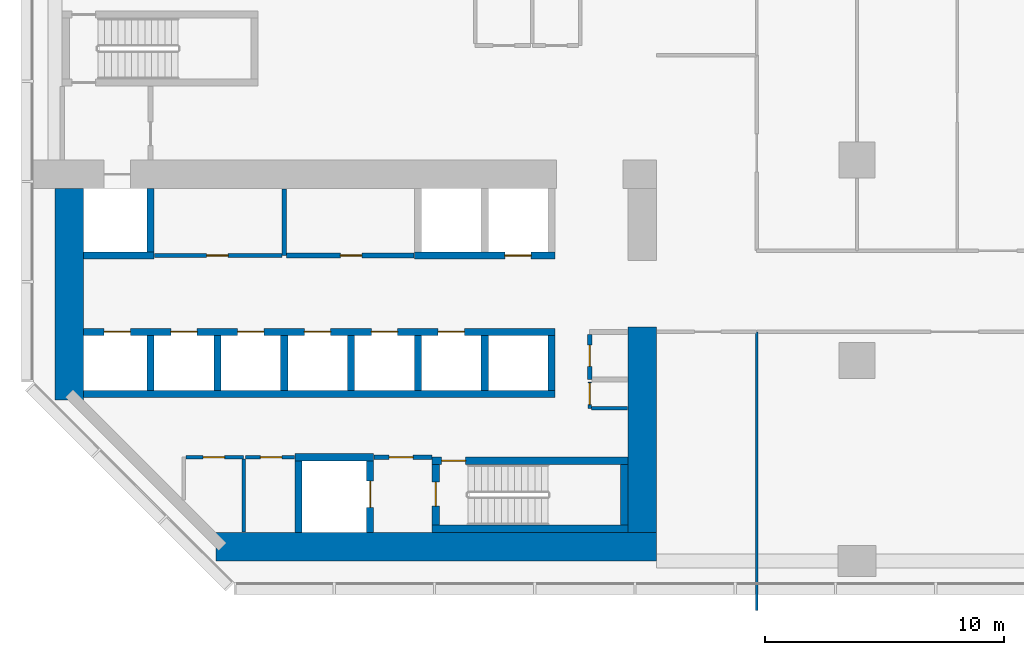
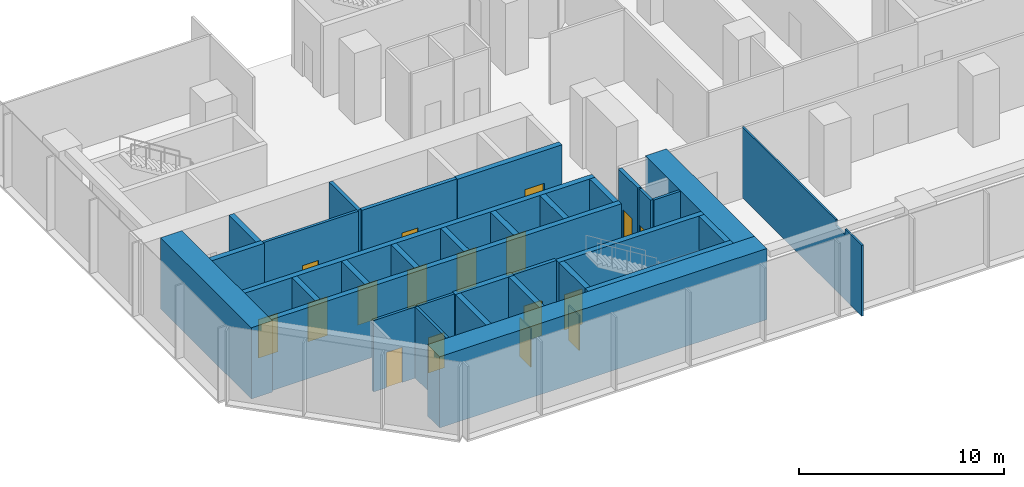
# One storey, part 7 of 13: 33 walls, 17 doors, 17 openings.
"""IFC4 building model written with IfcOpenShell, lengths in metres."""

from ifc_helpers import new_model, si_unit, direction, frame, frame_2d, origin, place, context, subcontext, project, spatial, polyline, rectangle, outline, extrude, material, layer, layer_set, type_object, element, fill, save


model = new_model("IFC4")

# Units and contexts
model_context = context("Model", 3, precision=1e-05, world=origin(), true_north=direction((0.0, 1.0)))
body_context = subcontext(model_context, "Body", "Model", "MODEL_VIEW")
ifc_project = project(units=[si_unit("LENGTHUNIT", "METRE"), si_unit("AREAUNIT", "SQUARE_METRE"), si_unit("VOLUMEUNIT", "CUBIC_METRE"), si_unit("PLANEANGLEUNIT", "RADIAN"), si_unit("MASSUNIT", "GRAM", prefix="KILO")], contexts=[model_context])

# Site, building, storey
site_placement = place(None, origin())
site = spatial("IfcSite", under=ifc_project, at=site_placement, CompositionType="ELEMENT")
building_placement = place(site_placement, origin())
building = spatial("IfcBuilding", under=site, at=building_placement, Name="Brevane Broadcast Tower", CompositionType="ELEMENT")
storey_placement = place(building_placement, frame((0.0, 0.0, 32.0)))
storey = spatial("IfcBuildingStorey", under=building, at=storey_placement, Name="L05", CompositionType="ELEMENT", Elevation=32.0)

# Wall, opening, door
ifc_material_1 = material(Name="Gypsum board on steel studs", Category="steel")
ifc_layer_1 = layer(ifc_material_1, 0.14990234375)
ifc_layer_set_1 = layer_set([ifc_layer_1], Name="Core fire partition 150 mm")
wall_type_1 = type_object("IfcWallType", Name="Core fire partition 150 mm", PredefinedType="PARTITIONING", material=ifc_layer_set_1)
wall_1_placement = place(storey_placement, frame((4.162109375, 12.800048828125, 0.0), z_axis=(0.0, 0.0, 1.0), x_axis=(1.0, 0.0, 0.0)))
wall_1 = element("IfcWall", 1, at=wall_1_placement, inside=storey, type_object=wall_type_1, Name="L05 partition wall P09", PredefinedType="PARTITIONING", context=body_context, shape_type="SweptSolid", body=[
    extrude(rectangle(XDim=5.337890625, YDim=0.14990234375, at=frame_2d((2.6689453125, 0.0))), origin(), (0.0, 0.0, 1.0), 4.25),
])
opening_1_placement = place(wall_1_placement, frame((2.18798828125, 0.0, 0.0)))
opening_1 = element("IfcOpeningElement", 2, at=opening_1_placement, cuts=wall_1, Name="Opening L05-K24", PredefinedType="OPENING", context=body_context, shape_type="SweptSolid", body=[
    extrude(rectangle(XDim=0.89990234375, YDim=2.10009765625, at=frame_2d((0.449951171875, 1.050048828125))), frame((0.0, 0.0849609375, 0.0), z_axis=(0.0, -1.0, 0.0), x_axis=(1.0, 0.0, 0.0)), (0.0, 0.0, 1.0), 0.169921875),
])
ifc_material_2 = material(Name="Steel", Category="steel")
door_type_1 = type_object("IfcDoorType", Name="Service room door 900 x 2100", OperationType="SINGLE_SWING_LEFT", PredefinedType="DOOR", material=ifc_material_2)
door_1_placement = place(opening_1_placement, origin())
door_1 = element("IfcDoor", 3, at=door_1_placement, inside=storey, type_object=door_type_1, Name="Door L05-K24", OperationType="SINGLE_SWING_LEFT", OverallHeight=2.10009765625, OverallWidth=0.89990234375, PredefinedType="DOOR", context=body_context, shape_type="SweptSolid", body=[
    extrude(rectangle(XDim=0.89990234375, YDim=2.10009765625, at=frame_2d((0.449951171875, 1.050048828125))), frame((0.0, 0.02490234375, 0.0), z_axis=(0.0, -1.0, 0.0), x_axis=(1.0, 0.0, 0.0)), (0.0, 0.0, 1.0), 0.050048828125),
])
fill(opening_1, door_1)

wall_2_placement = place(storey_placement, frame((5.47509765625, 4.35009765625, 0.0), z_axis=(0.0, 0.0, 1.0), x_axis=(1.0, 0.0, 0.0)))
wall_2 = element("IfcWall", 4, at=wall_2_placement, inside=storey, type_object=wall_type_1, Name="L05 partition wall P11", PredefinedType="PARTITIONING", context=body_context, shape_type="SweptSolid", body=[
    extrude(rectangle(XDim=2.4248046875, YDim=0.14990234375, at=frame_2d((1.21240234375, 0.0))), origin(), (0.0, 0.0, 1.0), 4.25),
])
opening_2_placement = place(wall_2_placement, frame((0.72509765625, 0.0, 0.0)))
opening_2 = element("IfcOpeningElement", 5, at=opening_2_placement, cuts=wall_2, Name="Opening L05-K19", PredefinedType="OPENING", context=body_context, shape_type="SweptSolid", body=[
    extrude(rectangle(XDim=0.89990234375, YDim=2.10009765625, at=frame_2d((0.449951171875, 1.050048828125))), frame((0.0, 0.0849609375, 0.0), z_axis=(0.0, -1.0, 0.0), x_axis=(1.0, 0.0, 0.0)), (0.0, 0.0, 1.0), 0.169921875),
])
ifc_material_3 = material(Name="Timber", Category="wood")
door_type_2 = type_object("IfcDoorType", Name="Toilet door 900 x 2100", OperationType="SINGLE_SWING_LEFT", PredefinedType="DOOR", material=ifc_material_3)
door_2_placement = place(opening_2_placement, origin())
door_2 = element("IfcDoor", 6, at=door_2_placement, inside=storey, type_object=door_type_2, Name="Door L05-K19", OperationType="SINGLE_SWING_RIGHT", OverallHeight=2.10009765625, OverallWidth=0.89990234375, PredefinedType="DOOR", context=body_context, shape_type="SweptSolid", body=[
    extrude(rectangle(XDim=0.89990234375, YDim=2.10009765625, at=frame_2d((0.449951171875, 1.050048828125))), frame((0.0, 0.02490234375, 0.0), z_axis=(0.0, -1.0, 0.0), x_axis=(1.0, 0.0, 0.0)), (0.0, 0.0, 1.0), 0.050048828125),
])
fill(opening_2, door_2)

# Wall
wall_3_placement = place(storey_placement, frame((7.89990234375, 4.27490234375, 0.0), z_axis=(0.0, 0.0, 1.0), x_axis=(0.0, -1.0, 0.0)))
element("IfcWall", 7, at=wall_3_placement, inside=storey, type_object=wall_type_1, Name="L05 partition wall P12", PredefinedType="PARTITIONING", context=body_context, shape_type="SweptSolid", body=[
    extrude(rectangle(XDim=3.06298828125, YDim=0.14990234375, at=frame_2d((1.531494140625, 0.0))), origin(), (0.0, 0.0, 1.0), 4.25),
])

# Wall, opening, door
wall_4_placement = place(storey_placement, frame((10.0380859375, 4.35009765625, 0.0), z_axis=(0.0, 0.0, 1.0), x_axis=(-1.0, 0.0, 0.0)))
wall_4 = element("IfcWall", 8, at=wall_4_placement, inside=storey, type_object=wall_type_1, Name="L05 partition wall P13", PredefinedType="PARTITIONING", context=body_context, shape_type="SweptSolid", body=[
    extrude(rectangle(XDim=2.06298828125, YDim=0.14990234375, at=frame_2d((1.031494140625, 0.0))), origin(), (0.0, 0.0, 1.0), 4.25),
])
opening_3_placement = place(wall_4_placement, frame((0.5380859375, 0.0, 0.0)))
opening_3 = element("IfcOpeningElement", 9, at=opening_3_placement, cuts=wall_4, Name="Opening L05-K20", PredefinedType="OPENING", context=body_context, shape_type="SweptSolid", body=[
    extrude(rectangle(XDim=0.89990234375, YDim=2.10009765625, at=frame_2d((0.449951171875, 1.050048828125))), frame((0.0, 0.0849609375, 0.0), z_axis=(0.0, -1.0, 0.0), x_axis=(1.0, 0.0, 0.0)), (0.0, 0.0, 1.0), 0.169921875),
])
door_3_placement = place(opening_3_placement, origin())
door_3 = element("IfcDoor", 10, at=door_3_placement, inside=storey, type_object=door_type_2, Name="Door L05-K20", OperationType="SINGLE_SWING_LEFT", OverallHeight=2.10009765625, OverallWidth=0.89990234375, PredefinedType="DOOR", context=body_context, shape_type="SweptSolid", body=[
    extrude(rectangle(XDim=0.89990234375, YDim=2.10009765625, at=frame_2d((0.449951171875, 1.050048828125))), frame((0.0, 0.02490234375, 0.0), z_axis=(0.0, -1.0, 0.0), x_axis=(1.0, 0.0, 0.0)), (0.0, 0.0, 1.0), 0.050048828125),
])
fill(opening_3, door_3)

wall_5_placement = place(storey_placement, frame((22.39990234375, 7.5, 0.0), z_axis=(0.0, 0.0, 1.0), x_axis=(0.0, -1.0, 0.0)))
wall_5 = element("IfcWall", 11, at=wall_5_placement, inside=storey, type_object=wall_type_1, Name="L05 partition wall P21", PredefinedType="PARTITIONING", context=body_context, shape_type="SweptSolid", body=[
    extrude(rectangle(XDim=1.10009765625, YDim=0.14990234375, at=frame_2d((0.550048828125, 0.0))), origin(), (0.0, 0.0, 1.0), 4.25),
])
opening_4_placement = place(wall_5_placement, frame((0.050048828125, 0.0, 0.0)))
opening_4 = element("IfcOpeningElement", 12, at=opening_4_placement, cuts=wall_5, Name="Opening L05-K22", PredefinedType="OPENING", context=body_context, shape_type="SweptSolid", body=[
    extrude(rectangle(XDim=0.89990234375, YDim=2.10009765625, at=frame_2d((0.449951171875, 1.050048828125))), frame((0.0, 0.0849609375, 0.0), z_axis=(0.0, -1.0, 0.0), x_axis=(1.0, 0.0, 0.0)), (0.0, 0.0, 1.0), 0.169921875),
])
door_4_placement = place(opening_4_placement, origin())
door_4 = element("IfcDoor", 13, at=door_4_placement, inside=storey, type_object=door_type_1, Name="Door L05-K22", OperationType="SINGLE_SWING_LEFT", OverallHeight=2.10009765625, OverallWidth=0.89990234375, PredefinedType="DOOR", context=body_context, shape_type="SweptSolid", body=[
    extrude(rectangle(XDim=0.89990234375, YDim=2.10009765625, at=frame_2d((0.449951171875, 1.050048828125))), frame((0.0, 0.02490234375, 0.0), z_axis=(0.0, -1.0, 0.0), x_axis=(1.0, 0.0, 0.0)), (0.0, 0.0, 1.0), 0.050048828125),
])
fill(opening_4, door_4)

# Wall
wall_6_placement = place(storey_placement, frame((22.47509765625, 6.39990234375, 0.0), z_axis=(0.0, 0.0, 1.0), x_axis=(1.0, 0.0, 0.0)))
element("IfcWall", 14, at=wall_6_placement, inside=storey, type_object=wall_type_1, Name="L05 partition wall P22", PredefinedType="PARTITIONING", context=body_context, shape_type="SweptSolid", body=[
    extrude(rectangle(XDim=1.512939453125, YDim=0.14990234375, at=frame_2d((0.75634765625, 0.0))), origin(), (0.0, 0.0, 1.0), 4.25),
])

# Wall, opening, door
ifc_layer_2 = layer(ifc_material_1, 0.199951171875)
ifc_layer_set_2 = layer_set([ifc_layer_2], Name="Core fire partition 200 mm")
wall_type_2 = type_object("IfcWallType", Name="Core fire partition 200 mm", PredefinedType="PARTITIONING", material=ifc_layer_set_2)
wall_7_placement = place(storey_placement, frame((13.362060546875, 4.35009765625, 0.0), z_axis=(0.0, 0.0, 1.0), x_axis=(1.0, 0.0, 0.0)))
wall_7 = element("IfcWall", 15, at=wall_7_placement, inside=storey, type_object=wall_type_2, Name="L05 partition wall P03", PredefinedType="PARTITIONING", context=body_context, shape_type="SweptSolid", body=[
    extrude(rectangle(XDim=2.426025390625, YDim=0.199951171875, at=frame_2d((1.212890625, 0.0))), origin(), (0.0, 0.0, 1.0), 4.25),
])
opening_5_placement = place(wall_7_placement, frame((0.637939453125, 0.0, 0.0)))
opening_5 = element("IfcOpeningElement", 16, at=opening_5_placement, cuts=wall_7, Name="Opening L05-K21", PredefinedType="OPENING", context=body_context, shape_type="SweptSolid", body=[
    extrude(rectangle(XDim=1.0, YDim=2.10009765625, at=frame_2d((0.5, 1.050048828125))), frame((0.0, 0.10986328125, 0.0), z_axis=(0.0, -1.0, 0.0), x_axis=(1.0, 0.0, 0.0)), (0.0, 0.0, 1.0), 0.219970703125),
])
door_type_3 = type_object("IfcDoorType", Name="Stair door 1000 x 2100", OperationType="SINGLE_SWING_LEFT", PredefinedType="DOOR", material=ifc_material_2)
door_5_placement = place(opening_5_placement, origin())
door_5 = element("IfcDoor", 17, at=door_5_placement, inside=storey, type_object=door_type_3, Name="Door L05-K21", OperationType="SINGLE_SWING_RIGHT", OverallHeight=2.10009765625, OverallWidth=1.0, PredefinedType="DOOR", context=body_context, shape_type="SweptSolid", body=[
    extrude(rectangle(XDim=1.0, YDim=2.10009765625, at=frame_2d((0.5, 1.050048828125))), frame((0.0, 0.02490234375, 0.0), z_axis=(0.0, -1.0, 0.0), x_axis=(1.0, 0.0, 0.0)), (0.0, 0.0, 1.0), 0.050048828125),
])
fill(opening_5, door_5)

# Wall
wall_8_placement = place(storey_placement, frame((9.60009765625, 15.587890625, 0.0), z_axis=(0.0, 0.0, 1.0), x_axis=(0.0, -1.0, 0.0)))
element("IfcWall", 18, at=wall_8_placement, inside=storey, type_object=wall_type_2, Name="L05 partition wall P04", PredefinedType="PARTITIONING", context=body_context, shape_type="SweptSolid", body=[
    extrude(rectangle(XDim=2.787841796875, YDim=0.199951171875, at=frame_2d((1.39404296875, 0.0))), origin(), (0.0, 0.0, 1.0), 4.25),
])

# Wall, opening, door
wall_9_placement = place(storey_placement, frame((9.699951171875, 12.800048828125, 0.0), z_axis=(0.0, 0.0, 1.0), x_axis=(1.0, 0.0, 0.0)))
wall_9 = element("IfcWall", 19, at=wall_9_placement, inside=storey, type_object=wall_type_2, Name="L05 partition wall P05", PredefinedType="PARTITIONING", context=body_context, shape_type="SweptSolid", body=[
    extrude(rectangle(XDim=5.338134765625, YDim=0.199951171875, at=frame_2d((2.6689453125, 0.0))), origin(), (0.0, 0.0, 1.0), 4.25),
])
opening_6_placement = place(wall_9_placement, frame((2.25, 0.0, 0.0)))
opening_6 = element("IfcOpeningElement", 20, at=opening_6_placement, cuts=wall_9, Name="Opening L05-K25", PredefinedType="OPENING", context=body_context, shape_type="SweptSolid", body=[
    extrude(rectangle(XDim=0.89990234375, YDim=2.10009765625, at=frame_2d((0.449951171875, 1.050048828125))), frame((0.0, 0.10986328125, 0.0), z_axis=(0.0, -1.0, 0.0), x_axis=(1.0, 0.0, 0.0)), (0.0, 0.0, 1.0), 0.219970703125),
])
door_6_placement = place(opening_6_placement, origin())
door_6 = element("IfcDoor", 21, at=door_6_placement, inside=storey, type_object=door_type_1, Name="Door L05-K25", OperationType="SINGLE_SWING_RIGHT", OverallHeight=2.10009765625, OverallWidth=0.89990234375, PredefinedType="DOOR", context=body_context, shape_type="SweptSolid", body=[
    extrude(rectangle(XDim=0.89990234375, YDim=2.10009765625, at=frame_2d((0.449951171875, 1.050048828125))), frame((0.0, 0.02490234375, 0.0), z_axis=(0.0, -1.0, 0.0), x_axis=(1.0, 0.0, 0.0)), (0.0, 0.0, 1.0), 0.050048828125),
])
fill(opening_6, door_6)

wall_10_placement = place(storey_placement, frame((22.39990234375, 9.5, 0.0), z_axis=(0.0, 0.0, 1.0), x_axis=(0.0, -1.0, 0.0)))
wall_10 = element("IfcWall", 22, at=wall_10_placement, inside=storey, type_object=wall_type_2, Name="L05 partition wall P07", PredefinedType="PARTITIONING", context=body_context, shape_type="SweptSolid", body=[
    extrude(rectangle(XDim=1.89990234375, YDim=0.199951171875, at=frame_2d((0.949951171875, 0.0))), origin(), (0.0, 0.0, 1.0), 4.25),
])
opening_7_placement = place(wall_10_placement, frame((0.449951171875, 0.0, 0.0)))
opening_7 = element("IfcOpeningElement", 23, at=opening_7_placement, cuts=wall_10, Name="Opening L05-K23", PredefinedType="OPENING", context=body_context, shape_type="SweptSolid", body=[
    extrude(rectangle(XDim=0.89990234375, YDim=2.10009765625, at=frame_2d((0.449951171875, 1.050048828125))), frame((0.0, 0.10986328125, 0.0), z_axis=(0.0, -1.0, 0.0), x_axis=(1.0, 0.0, 0.0)), (0.0, 0.0, 1.0), 0.219970703125),
])
door_7_placement = place(opening_7_placement, origin())
door_7 = element("IfcDoor", 24, at=door_7_placement, inside=storey, type_object=door_type_1, Name="Door L05-K23", OperationType="SINGLE_SWING_RIGHT", OverallHeight=2.10009765625, OverallWidth=0.89990234375, PredefinedType="DOOR", context=body_context, shape_type="SweptSolid", body=[
    extrude(rectangle(XDim=0.89990234375, YDim=2.10009765625, at=frame_2d((0.449951171875, 1.050048828125))), frame((0.0, 0.02490234375, 0.0), z_axis=(0.0, -1.0, 0.0), x_axis=(1.0, 0.0, 0.0)), (0.0, 0.0, 1.0), 0.050048828125),
])
fill(opening_7, door_7)

# Walls
ifc_material_4 = material(Name="Concrete C80/95", Category="concrete")
ifc_layer_3 = layer(ifc_material_4, 1.199951171875)
ifc_layer_set_3 = layer_set([ifc_layer_3], Name="Core wall 1200 mm C80/95")
wall_type_3 = type_object("IfcWallType", Name="Core wall 1200 mm C80/95", PredefinedType="SHEAR", material=ifc_layer_set_3)
wall_11_placement = place(storey_placement, frame((6.736328125, 0.60009765625, 0.0), z_axis=(0.0, 0.0, 1.0), x_axis=(1.0, 0.0, 0.0)))
element("IfcWall", 25, at=wall_11_placement, inside=storey, type_object=wall_type_3, Name="L05 outer wall WS", PredefinedType="SHEAR", context=body_context, shape_type="SweptSolid", body=[
    extrude(rectangle(XDim=18.463623046875, YDim=1.199951171875, at=frame_2d((9.23193359375, 0.0))), origin(), (0.0, 0.0, 1.0), 4.25),
])
wall_12_placement = place(storey_placement, frame((0.60009765625, 6.736328125, 0.0), z_axis=(0.0, 0.0, 1.0), x_axis=(0.0, 1.0, 0.0)))
element("IfcWall", 26, at=wall_12_placement, inside=storey, type_object=wall_type_3, Name="L05 outer wall WW", PredefinedType="SHEAR", context=body_context, shape_type="SweptSolid", body=[
    extrude(rectangle(XDim=8.86376953125, YDim=1.199951171875, at=frame_2d((4.431884765625, 0.0))), origin(), (0.0, 0.0, 1.0), 4.25),
])
wall_13_placement = place(storey_placement, frame((24.60009765625, 1.199951171875, 0.0), z_axis=(0.0, 0.0, 1.0), x_axis=(0.0, 1.0, 0.0)))
element("IfcWall", 27, at=wall_13_placement, inside=storey, type_object=wall_type_3, Name="L05 outer wall WE1", PredefinedType="SHEAR", context=body_context, shape_type="SweptSolid", body=[
    extrude(rectangle(XDim=8.60009765625, YDim=1.199951171875, at=frame_2d((4.300048828125, 0.0))), origin(), (0.0, 0.0, 1.0), 4.25),
])
ifc_layer_4 = layer(ifc_material_4, 0.300048828125)
ifc_layer_set_4 = layer_set([ifc_layer_4], Name="Core wall 300 mm C80/95")
wall_type_4 = type_object("IfcWallType", Name="Core wall 300 mm C80/95", PredefinedType="SHEAR", material=ifc_layer_set_4)
wall_14_placement = place(storey_placement, frame((1.199951171875, 7.0, 0.0), z_axis=(0.0, 0.0, 1.0), x_axis=(1.0, 0.0, 0.0)))
element("IfcWall", 28, at=wall_14_placement, inside=storey, type_object=wall_type_4, Name="L05 shaft wall SH-S012-back", PredefinedType="SHEAR", context=body_context, shape_type="SweptSolid", body=[
    extrude(rectangle(XDim=19.75, YDim=0.300048828125, at=frame_2d((9.875, 0.0))), origin(), (0.0, 0.0, 1.0), 4.25),
])

# Wall, openings, doors
wall_15_placement = place(storey_placement, frame((1.199951171875, 9.60009765625, 0.0), z_axis=(0.0, 0.0, 1.0), x_axis=(1.0, 0.0, 0.0)))
wall_15 = element("IfcWall", 29, at=wall_15_placement, inside=storey, type_object=wall_type_4, Name="L05 shaft wall SH-S012-front", PredefinedType="SHEAR", context=body_context, shape_type="SweptSolid", body=[
    extrude(rectangle(XDim=19.75, YDim=0.300048828125, at=frame_2d((9.875, 0.0))), origin(), (0.0, 0.0, 1.0), 4.25),
])
opening_8_placement = place(wall_15_placement, frame((0.85009765625, 0.0, 0.0)))
opening_8 = element("IfcOpeningElement", 30, at=opening_8_placement, cuts=wall_15, Name="Opening LD", PredefinedType="OPENING", context=body_context, shape_type="SweptSolid", body=[
    extrude(rectangle(XDim=1.10009765625, YDim=2.300048828125, at=frame_2d((0.550048828125, 1.14990234375))), frame((0.0, 0.159912109375, 0.0), z_axis=(0.0, -1.0, 0.0), x_axis=(1.0, 0.0, 0.0)), (0.0, 0.0, 1.0), 0.320068359375),
])
opening_9_placement = place(wall_15_placement, frame((3.64990234375, 0.0, 0.0)))
opening_9 = element("IfcOpeningElement", 31, at=opening_9_placement, cuts=wall_15, Name="Opening LD", PredefinedType="OPENING", context=body_context, shape_type="SweptSolid", body=[
    extrude(rectangle(XDim=1.10009765625, YDim=2.300048828125, at=frame_2d((0.550048828125, 1.14990234375))), frame((0.0, 0.159912109375, 0.0), z_axis=(0.0, -1.0, 0.0), x_axis=(1.0, 0.0, 0.0)), (0.0, 0.0, 1.0), 0.320068359375),
])
opening_10_placement = place(wall_15_placement, frame((6.449951171875, 0.0, 0.0)))
opening_10 = element("IfcOpeningElement", 32, at=opening_10_placement, cuts=wall_15, Name="Opening LD", PredefinedType="OPENING", context=body_context, shape_type="SweptSolid", body=[
    extrude(rectangle(XDim=1.10009765625, YDim=2.300048828125, at=frame_2d((0.550048828125, 1.14990234375))), frame((0.0, 0.159912109375, 0.0), z_axis=(0.0, -1.0, 0.0), x_axis=(1.0, 0.0, 0.0)), (0.0, 0.0, 1.0), 0.320068359375),
])
opening_11_placement = place(wall_15_placement, frame((9.25, 0.0, 0.0)))
opening_11 = element("IfcOpeningElement", 33, at=opening_11_placement, cuts=wall_15, Name="Opening LD", PredefinedType="OPENING", context=body_context, shape_type="SweptSolid", body=[
    extrude(rectangle(XDim=1.10009765625, YDim=2.300048828125, at=frame_2d((0.550048828125, 1.14990234375))), frame((0.0, 0.159912109375, 0.0), z_axis=(0.0, -1.0, 0.0), x_axis=(1.0, 0.0, 0.0)), (0.0, 0.0, 1.0), 0.320068359375),
])
opening_12_placement = place(wall_15_placement, frame((12.050048828125, 0.0, 0.0)))
opening_12 = element("IfcOpeningElement", 34, at=opening_12_placement, cuts=wall_15, Name="Opening LD", PredefinedType="OPENING", context=body_context, shape_type="SweptSolid", body=[
    extrude(rectangle(XDim=1.10009765625, YDim=2.300048828125, at=frame_2d((0.550048828125, 1.14990234375))), frame((0.0, 0.159912109375, 0.0), z_axis=(0.0, -1.0, 0.0), x_axis=(1.0, 0.0, 0.0)), (0.0, 0.0, 1.0), 0.320068359375),
])
opening_13_placement = place(wall_15_placement, frame((14.85009765625, 0.0, 0.0)))
opening_13 = element("IfcOpeningElement", 35, at=opening_13_placement, cuts=wall_15, Name="Opening LD", PredefinedType="OPENING", context=body_context, shape_type="SweptSolid", body=[
    extrude(rectangle(XDim=1.10009765625, YDim=2.300048828125, at=frame_2d((0.550048828125, 1.14990234375))), frame((0.0, 0.159912109375, 0.0), z_axis=(0.0, -1.0, 0.0), x_axis=(1.0, 0.0, 0.0)), (0.0, 0.0, 1.0), 0.320068359375),
])
ifc_material_5 = material(Name="Stainless steel", Category="steel")
door_type_4 = type_object("IfcDoorType", Name="Lift landing door", OperationType="SLIDING_TO_LEFT", PredefinedType="DOOR", material=ifc_material_5)
door_8_placement = place(opening_8_placement, origin())
door_8 = element("IfcDoor", 36, at=door_8_placement, inside=storey, type_object=door_type_4, Name="Landing door LR1 L05", OperationType="SLIDING_TO_LEFT", OverallHeight=2.300048828125, OverallWidth=1.10009765625, PredefinedType="DOOR", context=body_context, shape_type="SweptSolid", body=[
    extrude(rectangle(XDim=1.10009765625, YDim=2.300048828125, at=frame_2d((0.550048828125, 1.14990234375))), frame((0.0, 0.02490234375, 0.0), z_axis=(0.0, -1.0, 0.0), x_axis=(1.0, 0.0, 0.0)), (0.0, 0.0, 1.0), 0.050048828125),
])
fill(opening_8, door_8)
door_9_placement = place(opening_9_placement, origin())
door_9 = element("IfcDoor", 37, at=door_9_placement, inside=storey, type_object=door_type_4, Name="Landing door LR2 L05", OperationType="SLIDING_TO_LEFT", OverallHeight=2.300048828125, OverallWidth=1.10009765625, PredefinedType="DOOR", context=body_context, shape_type="SweptSolid", body=[
    extrude(rectangle(XDim=1.10009765625, YDim=2.300048828125, at=frame_2d((0.550048828125, 1.14990234375))), frame((0.0, 0.02490234375, 0.0), z_axis=(0.0, -1.0, 0.0), x_axis=(1.0, 0.0, 0.0)), (0.0, 0.0, 1.0), 0.050048828125),
])
fill(opening_9, door_9)
door_10_placement = place(opening_10_placement, origin())
door_10 = element("IfcDoor", 38, at=door_10_placement, inside=storey, type_object=door_type_4, Name="Landing door LR3 L05", OperationType="SLIDING_TO_LEFT", OverallHeight=2.300048828125, OverallWidth=1.10009765625, PredefinedType="DOOR", context=body_context, shape_type="SweptSolid", body=[
    extrude(rectangle(XDim=1.10009765625, YDim=2.300048828125, at=frame_2d((0.550048828125, 1.14990234375))), frame((0.0, 0.02490234375, 0.0), z_axis=(0.0, -1.0, 0.0), x_axis=(1.0, 0.0, 0.0)), (0.0, 0.0, 1.0), 0.050048828125),
])
fill(opening_10, door_10)
door_11_placement = place(opening_11_placement, origin())
door_11 = element("IfcDoor", 39, at=door_11_placement, inside=storey, type_object=door_type_4, Name="Landing door LR4 L05", OperationType="SLIDING_TO_LEFT", OverallHeight=2.300048828125, OverallWidth=1.10009765625, PredefinedType="DOOR", context=body_context, shape_type="SweptSolid", body=[
    extrude(rectangle(XDim=1.10009765625, YDim=2.300048828125, at=frame_2d((0.550048828125, 1.14990234375))), frame((0.0, 0.02490234375, 0.0), z_axis=(0.0, -1.0, 0.0), x_axis=(1.0, 0.0, 0.0)), (0.0, 0.0, 1.0), 0.050048828125),
])
fill(opening_11, door_11)
door_12_placement = place(opening_12_placement, origin())
door_12 = element("IfcDoor", 40, at=door_12_placement, inside=storey, type_object=door_type_4, Name="Landing door LR5 L05", OperationType="SLIDING_TO_LEFT", OverallHeight=2.300048828125, OverallWidth=1.10009765625, PredefinedType="DOOR", context=body_context, shape_type="SweptSolid", body=[
    extrude(rectangle(XDim=1.10009765625, YDim=2.300048828125, at=frame_2d((0.550048828125, 1.14990234375))), frame((0.0, 0.02490234375, 0.0), z_axis=(0.0, -1.0, 0.0), x_axis=(1.0, 0.0, 0.0)), (0.0, 0.0, 1.0), 0.050048828125),
])
fill(opening_12, door_12)
door_13_placement = place(opening_13_placement, origin())
door_13 = element("IfcDoor", 41, at=door_13_placement, inside=storey, type_object=door_type_4, Name="Landing door LR6 L05", OperationType="SLIDING_TO_LEFT", OverallHeight=2.300048828125, OverallWidth=1.10009765625, PredefinedType="DOOR", context=body_context, shape_type="SweptSolid", body=[
    extrude(rectangle(XDim=1.10009765625, YDim=2.300048828125, at=frame_2d((0.550048828125, 1.14990234375))), frame((0.0, 0.02490234375, 0.0), z_axis=(0.0, -1.0, 0.0), x_axis=(1.0, 0.0, 0.0)), (0.0, 0.0, 1.0), 0.050048828125),
])
fill(opening_13, door_13)

# Walls
for number, where, z_axis, x_axis, name in (
    (42, (4.0, 7.14990234375, 0.0), (0.0, 0.0, 1.0), (0.0, 1.0, 0.0), "L05 shaft wall SH-S-P040"),
    (43, (6.800048828125, 7.14990234375, 0.0), (0.0, 0.0, 1.0), (0.0, 1.0, 0.0), "L05 shaft wall SH-S-P068"),
    (44, (9.60009765625, 7.14990234375, 0.0), (0.0, 0.0, 1.0), (0.0, 1.0, 0.0), "L05 shaft wall SH-S-P096"),
    (45, (12.39990234375, 7.14990234375, 0.0), (0.0, 0.0, 1.0), (0.0, 1.0, 0.0), "L05 shaft wall SH-S-P124"),
    (46, (15.199951171875, 7.14990234375, 0.0), (0.0, 0.0, 1.0), (0.0, 1.0, 0.0), "L05 shaft wall SH-S-P152"),
    (47, (18.0, 7.14990234375, 0.0), (0.0, 0.0, 1.0), (0.0, 1.0, 0.0), "L05 shaft wall SH-S-P180"),
    (48, (20.800048828125, 7.14990234375, 0.0), (0.0, 0.0, 1.0), (0.0, 1.0, 0.0), "L05 shaft wall SH-S-P208"),
):
    element("IfcWall", number, at=place(storey_placement, frame(where, z_axis=z_axis, x_axis=x_axis)), inside=storey, type_object=wall_type_4, Name=name, PredefinedType="SHEAR", context=body_context, shape_type="SweptSolid", body=[
        extrude(rectangle(XDim=2.300048828125, YDim=0.300048828125, at=frame_2d((1.14990234375, 0.0))), origin(), (0.0, 0.0, 1.0), 4.25),
    ])
wall_16_placement = place(storey_placement, frame((1.199951171875, 12.800048828125, 0.0), z_axis=(0.0, 0.0, 1.0), x_axis=(1.0, 0.0, 0.0)))
element("IfcWall", 49, at=wall_16_placement, inside=storey, type_object=wall_type_4, Name="L05 shaft wall SH-N012-front", PredefinedType="SHEAR", context=body_context, shape_type="SweptSolid", body=[
    extrude(rectangle(XDim=2.949951171875, YDim=0.300048828125, at=frame_2d((1.47509765625, 0.0))), origin(), (0.0, 0.0, 1.0), 4.25),
])
wall_17_placement = place(storey_placement, frame((4.0, 12.949951171875, 0.0), z_axis=(0.0, 0.0, 1.0), x_axis=(0.0, 1.0, 0.0)))
element("IfcWall", 50, at=wall_17_placement, inside=storey, type_object=wall_type_4, Name="L05 shaft wall SH-N-P040", PredefinedType="SHEAR", context=body_context, shape_type="SweptSolid", body=[
    extrude(rectangle(XDim=2.650146484375, YDim=0.300048828125, at=frame_2d((1.3251953125, 0.0))), origin(), (0.0, 0.0, 1.0), 4.25),
])

# Wall, opening, door
wall_18_placement = place(storey_placement, frame((15.050048828125, 12.800048828125, 0.0), z_axis=(0.0, 0.0, 1.0), x_axis=(1.0, 0.0, 0.0)))
wall_18 = element("IfcWall", 51, at=wall_18_placement, inside=storey, type_object=wall_type_4, Name="L05 shaft wall SH-N152-front", PredefinedType="SHEAR", context=body_context, shape_type="SweptSolid", body=[
    extrude(rectangle(XDim=5.89990234375, YDim=0.300048828125, at=frame_2d((2.949951171875, 0.0))), origin(), (0.0, 0.0, 1.0), 4.25),
])
opening_14_placement = place(wall_18_placement, frame((3.800048828125, 0.0, 0.0)))
opening_14 = element("IfcOpeningElement", 52, at=opening_14_placement, cuts=wall_18, Name="Opening LD", PredefinedType="OPENING", context=body_context, shape_type="SweptSolid", body=[
    extrude(rectangle(XDim=1.10009765625, YDim=2.300048828125, at=frame_2d((0.550048828125, 1.14990234375))), frame((0.0, 0.159912109375, 0.0), z_axis=(0.0, -1.0, 0.0), x_axis=(1.0, 0.0, 0.0)), (0.0, 0.0, 1.0), 0.320068359375),
])
door_14_placement = place(opening_14_placement, origin())
door_14 = element("IfcDoor", 53, at=door_14_placement, inside=storey, type_object=door_type_4, Name="Landing door SL1 L05", OperationType="SLIDING_TO_LEFT", OverallHeight=2.300048828125, OverallWidth=1.10009765625, PredefinedType="DOOR", context=body_context, shape_type="SweptSolid", body=[
    extrude(rectangle(XDim=1.10009765625, YDim=2.300048828125, at=frame_2d((0.550048828125, 1.14990234375))), frame((0.0, 0.02490234375, 0.0), z_axis=(0.0, -1.0, 0.0), x_axis=(1.0, 0.0, 0.0)), (0.0, 0.0, 1.0), 0.050048828125),
])
fill(opening_14, door_14)

# Wall
wall_19_placement = place(storey_placement, frame((10.199951171875, 1.199951171875, 0.0), z_axis=(0.0, 0.0, 1.0), x_axis=(0.0, 1.0, 0.0)))
element("IfcWall", 54, at=wall_19_placement, inside=storey, type_object=wall_type_4, Name="L05 shaft wall FF2-W", PredefinedType="SHEAR", context=body_context, shape_type="SweptSolid", body=[
    extrude(rectangle(XDim=3.0, YDim=0.300048828125, at=frame_2d((1.5, 0.0))), origin(), (0.0, 0.0, 1.0), 4.25),
])

# Wall, opening, door
wall_20_placement = place(storey_placement, frame((13.199951171875, 1.199951171875, 0.0), z_axis=(0.0, 0.0, 1.0), x_axis=(0.0, 1.0, 0.0)))
wall_20 = element("IfcWall", 55, at=wall_20_placement, inside=storey, type_object=wall_type_4, Name="L05 shaft wall FF2-E", PredefinedType="SHEAR", context=body_context, shape_type="SweptSolid", body=[
    extrude(rectangle(XDim=3.0, YDim=0.300048828125, at=frame_2d((1.5, 0.0))), origin(), (0.0, 0.0, 1.0), 4.25),
])
opening_15_placement = place(wall_20_placement, frame((1.050048828125, 0.0, 0.0)))
opening_15 = element("IfcOpeningElement", 56, at=opening_15_placement, cuts=wall_20, Name="Opening LD", PredefinedType="OPENING", context=body_context, shape_type="SweptSolid", body=[
    extrude(rectangle(XDim=1.10009765625, YDim=2.300048828125, at=frame_2d((0.550048828125, 1.14990234375))), frame((0.0, 0.159912109375, 0.0), z_axis=(0.0, -1.0, 0.0), x_axis=(1.0, 0.0, 0.0)), (0.0, 0.0, 1.0), 0.320068359375),
])
door_15_placement = place(opening_15_placement, origin())
door_15 = element("IfcDoor", 57, at=door_15_placement, inside=storey, type_object=door_type_4, Name="Landing door FF2 L05", OperationType="SLIDING_TO_LEFT", OverallHeight=2.300048828125, OverallWidth=1.10009765625, PredefinedType="DOOR", context=body_context, shape_type="SweptSolid", body=[
    extrude(rectangle(XDim=1.10009765625, YDim=2.300048828125, at=frame_2d((0.550048828125, 1.14990234375))), frame((0.0, 0.02490234375, 0.0), z_axis=(0.0, -1.0, 0.0), x_axis=(1.0, 0.0, 0.0)), (0.0, 0.0, 1.0), 0.050048828125),
])
fill(opening_15, door_15)

# Walls
wall_21_placement = place(storey_placement, frame((10.050048828125, 4.35009765625, 0.0), z_axis=(0.0, 0.0, 1.0), x_axis=(1.0, 0.0, 0.0)))
element("IfcWall", 58, at=wall_21_placement, inside=storey, type_object=wall_type_4, Name="L05 shaft wall FF2-N", PredefinedType="SHEAR", context=body_context, shape_type="SweptSolid", body=[
    extrude(rectangle(XDim=3.300048828125, YDim=0.300048828125, at=frame_2d((1.64990234375, 0.0))), origin(), (0.0, 0.0, 1.0), 4.25),
])
wall_22_placement = place(storey_placement, frame((15.800048828125, 1.35009765625, 0.0), z_axis=(0.0, 0.0, 1.0), x_axis=(1.0, 0.0, 0.0)))
element("IfcWall", 59, at=wall_22_placement, inside=storey, type_object=wall_type_4, Name="L05 stair wall ST-2-S", PredefinedType="SHEAR", context=body_context, shape_type="SweptSolid", body=[
    extrude(rectangle(XDim=8.199951171875, YDim=0.300048828125, at=frame_2d((4.10009765625, 0.0))), origin(), (0.0, 0.0, 1.0), 4.25),
])

# Wall, opening, door
wall_23_placement = place(storey_placement, frame((15.800048828125, 4.199951171875, 0.0), z_axis=(0.0, 0.0, 1.0), x_axis=(1.0, 0.0, 0.0)))
wall_23 = element("IfcWall", 60, at=wall_23_placement, inside=storey, type_object=wall_type_4, Name="L05 stair wall ST-2-N", PredefinedType="SHEAR", context=body_context, shape_type="SweptSolid", body=[
    extrude(rectangle(XDim=8.199951171875, YDim=0.300048828125, at=frame_2d((4.10009765625, 0.0))), origin(), (0.0, 0.0, 1.0), 4.25),
])
opening_16_placement = place(wall_23_placement, frame((0.39990234375, 0.0, 0.0)))
opening_16 = element("IfcOpeningElement", 61, at=opening_16_placement, cuts=wall_23, Name="Opening L05-K14", PredefinedType="OPENING", context=body_context, shape_type="SweptSolid", body=[
    extrude(rectangle(XDim=1.0, YDim=2.10009765625, at=frame_2d((0.5, 1.050048828125))), frame((0.0, 0.159912109375, 0.0), z_axis=(0.0, -1.0, 0.0), x_axis=(1.0, 0.0, 0.0)), (0.0, 0.0, 1.0), 0.320068359375),
])
door_16_placement = place(opening_16_placement, origin())
door_16 = element("IfcDoor", 62, at=door_16_placement, inside=storey, type_object=door_type_3, Name="Door L05-K14", OperationType="SINGLE_SWING_LEFT", OverallHeight=2.10009765625, OverallWidth=1.0, PredefinedType="DOOR", context=body_context, shape_type="SweptSolid", body=[
    extrude(rectangle(XDim=1.0, YDim=2.10009765625, at=frame_2d((0.5, 1.050048828125))), frame((0.0, 0.02490234375, 0.0), z_axis=(0.0, -1.0, 0.0), x_axis=(1.0, 0.0, 0.0)), (0.0, 0.0, 1.0), 0.050048828125),
])
fill(opening_16, door_16)

wall_24_placement = place(storey_placement, frame((15.949951171875, 1.5, 0.0), z_axis=(0.0, 0.0, 1.0), x_axis=(0.0, 1.0, 0.0)))
wall_24 = element("IfcWall", 63, at=wall_24_placement, inside=storey, type_object=wall_type_4, Name="L05 stair wall ST-2-W", PredefinedType="SHEAR", context=body_context, shape_type="SweptSolid", body=[
    extrude(rectangle(XDim=2.550048828125, YDim=0.300048828125, at=frame_2d((1.27490234375, 0.0))), origin(), (0.0, 0.0, 1.0), 4.25),
])
opening_17_placement = place(wall_24_placement, frame((0.800048828125, 0.0, 0.0)))
opening_17 = element("IfcOpeningElement", 64, at=opening_17_placement, cuts=wall_24, Name="Opening L05-K13", PredefinedType="OPENING", context=body_context, shape_type="SweptSolid", body=[
    extrude(rectangle(XDim=1.0, YDim=2.10009765625, at=frame_2d((0.5, 1.050048828125))), frame((0.0, 0.159912109375, 0.0), z_axis=(0.0, -1.0, 0.0), x_axis=(1.0, 0.0, 0.0)), (0.0, 0.0, 1.0), 0.320068359375),
])
door_17_placement = place(opening_17_placement, origin())
door_17 = element("IfcDoor", 65, at=door_17_placement, inside=storey, type_object=door_type_3, Name="Door L05-K13", OperationType="SINGLE_SWING_RIGHT", OverallHeight=2.10009765625, OverallWidth=1.0, PredefinedType="DOOR", context=body_context, shape_type="SweptSolid", body=[
    extrude(rectangle(XDim=1.0, YDim=2.10009765625, at=frame_2d((0.5, 1.050048828125))), frame((0.0, 0.02490234375, 0.0), z_axis=(0.0, -1.0, 0.0), x_axis=(1.0, 0.0, 0.0)), (0.0, 0.0, 1.0), 0.050048828125),
])
fill(opening_17, door_17)

# Walls
wall_25_placement = place(storey_placement, frame((23.85009765625, 1.5, 0.0), z_axis=(0.0, 0.0, 1.0), x_axis=(0.0, 1.0, 0.0)))
element("IfcWall", 66, at=wall_25_placement, inside=storey, type_object=wall_type_4, Name="L05 stair wall ST-2-E", PredefinedType="SHEAR", context=body_context, shape_type="SweptSolid", body=[
    extrude(rectangle(XDim=2.550048828125, YDim=0.300048828125, at=frame_2d((1.27490234375, 0.0))), origin(), (0.0, 0.0, 1.0), 4.25),
])
ifc_material_6 = material(Name="Gypsum board partition")
ifc_layer_5 = layer(ifc_material_6, 0.10009765625)
ifc_layer_set_5 = layer_set([ifc_layer_5], Name="PARTITION 100 STUD")
wall_type_5 = type_object("IfcWallType", Name="PARTITION 100 STUD", PredefinedType="PARTITIONING", material=ifc_layer_set_5)
wall_26_placement = place(storey_placement, frame((29.39990234375, 9.60009765625, 0.0), z_axis=(0.0, 0.0, 1.0), x_axis=(0.0, -1.0, 0.0)))
element("IfcWall", 67, at=wall_26_placement, inside=storey, type_object=wall_type_5, Name="Partition P5-022", PredefinedType="PARTITIONING", context=body_context, shape_type="SweptSolid", body=[
    extrude(outline(polyline([(0.0, 0.0), (11.670166015625, 0.0), (11.669921875, 4.22998046875), (10.699951171875, 4.22998046875), (10.050048828125, 4.22998046875), (10.048095703125, 3.8798828125), (9.152099609375, 3.8798828125), (9.14990234375, 4.22998046875), (0.0, 4.22998046875), (0.0, 0.0)])), frame((0.0, 0.050048828125, 0.0), z_axis=(0.0, -1.0, 0.0), x_axis=(1.0, 0.0, 0.0)), (0.0, 0.0, 1.0), 0.10009765625),
])

save(model, "model.ifc")
